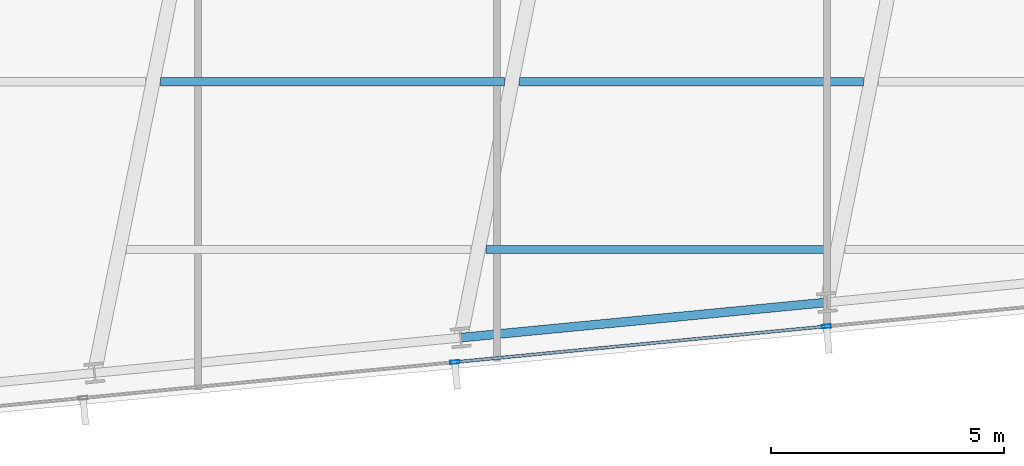
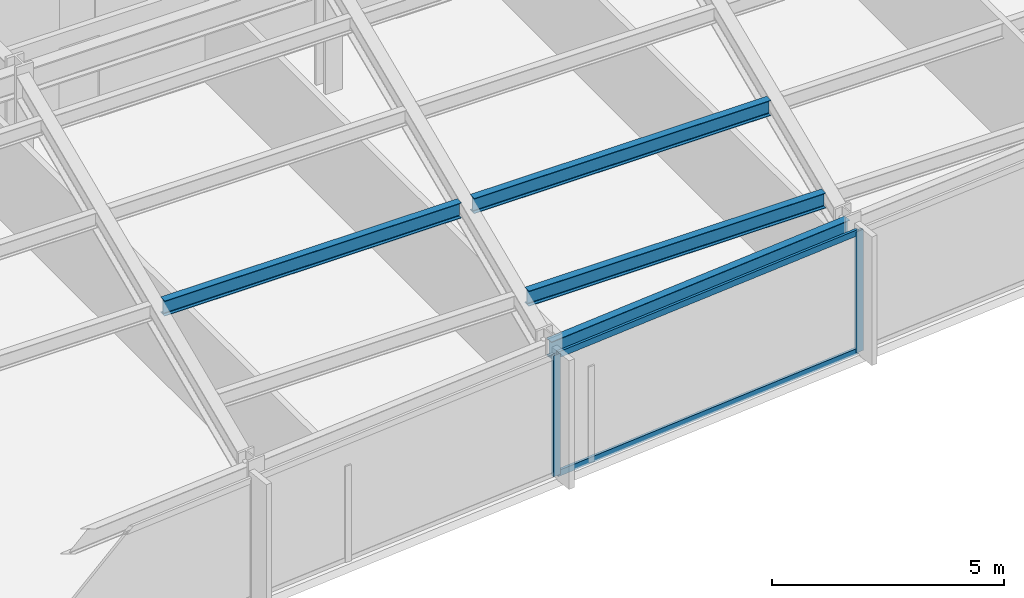
# One storey, part 4 of 33: 4 beams, 4 members, 1 element without a shape of its own.
"""IFC4 building model written with IfcOpenShell, lengths in metres."""

from ifc_helpers import new_model, si_unit, direction, frame, origin, origin_2d, place, context, subcontext, project, spatial, hollow_rectangle, i_section, extrude, material, material_profile, profile_set, type_object, element, aggregate, save


model = new_model("IFC4")

# Units and contexts
model_context = context("Model", 3, precision=1e-05, world=origin(), true_north=direction((0.0, 1.0)))
body_context = subcontext(model_context, "Body", "Model", "MODEL_VIEW")
ifc_project = project(units=[si_unit("LENGTHUNIT", "METRE"), si_unit("AREAUNIT", "SQUARE_METRE"), si_unit("VOLUMEUNIT", "CUBIC_METRE"), si_unit("PLANEANGLEUNIT", "RADIAN"), si_unit("MASSUNIT", "GRAM", prefix="KILO")], contexts=[model_context])

# Site, building, storey
site_placement = place(None, origin())
site = spatial("IfcSite", under=ifc_project, at=site_placement, CompositionType="ELEMENT")
building_placement = place(site_placement, origin())
building = spatial("IfcBuilding", under=site, at=building_placement, Name="Yelkora Congress Tower", CompositionType="ELEMENT")
storey_placement = place(building_placement, frame((0.0, 0.0, 110.10009765625)))
storey = spatial("IfcBuildingStorey", under=building, at=storey_placement, Name="L29", CompositionType="ELEMENT", Elevation=110.10009765625)

# Beams
ifc_material_1 = material(Name="Steel S355J2", Category="steel")
ifc_material_profile_1 = material_profile(ifc_material_1, i_section(OverallWidth=0.179931640625, OverallDepth=0.39990234375, WebThickness=0.008544921875, FlangeThickness=0.013427734375, FilletRadius=0.02099609375, at=origin_2d()), Name="IPE 400")
ifc_profile_set_1 = profile_set([ifc_material_profile_1], Name="Steel S355J2")
beam_type_1 = type_object("IfcBeamType", Name="BM-JOIST-IPE400", PredefinedType="JOIST", material=ifc_profile_set_1)
beam_1_placement = place(storey_placement, frame((36.023193359375, 12.54443359375, 2.97998046875), z_axis=(1.0, 0.0, 0.0), x_axis=(0.0, 1.0, 0.0)))
element("IfcBeam", 1, at=beam_1_placement, inside=storey, type_object=beam_type_1, Name="L29 Composite Floor Joist 2", PredefinedType="JOIST", context=body_context, shape_type="SweptSolid", body=[
    extrude(i_section(OverallWidth=0.179931640625, OverallDepth=0.39990234375, WebThickness=0.008544921875, FlangeThickness=0.013427734375, FilletRadius=0.02099609375, at=origin_2d()), origin(), (0.0, 0.0, 1.0), 7.37646484375),
])
beam_2_placement = place(storey_placement, frame((29.05419921875, 16.144287109375, 2.97998046875), z_axis=(1.0, 0.0, 0.0), x_axis=(0.0, 1.0, 0.0)))
element("IfcBeam", 2, at=beam_2_placement, inside=storey, type_object=beam_type_1, Name="L29 Composite Floor Joist 5", PredefinedType="JOIST", context=body_context, shape_type="SweptSolid", body=[
    extrude(i_section(OverallWidth=0.179931640625, OverallDepth=0.39990234375, WebThickness=0.008544921875, FlangeThickness=0.013427734375, FilletRadius=0.02099609375, at=origin_2d()), origin(), (0.0, 0.0, 1.0), 7.37060546875),
])
beam_3_placement = place(storey_placement, frame((36.744873046875, 16.144287109375, 2.97998046875), z_axis=(1.0, 0.0, 0.0), x_axis=(0.0, 1.0, 0.0)))
element("IfcBeam", 3, at=beam_3_placement, inside=storey, type_object=beam_type_1, Name="L29 Composite Floor Joist 6", PredefinedType="JOIST", context=body_context, shape_type="SweptSolid", body=[
    extrude(i_section(OverallWidth=0.179931640625, OverallDepth=0.39990234375, WebThickness=0.008544921875, FlangeThickness=0.013427734375, FilletRadius=0.02099609375, at=origin_2d()), origin(), (0.0, 0.0, 1.0), 7.371826171875),
])
ifc_material_profile_2 = material_profile(ifc_material_1, i_section(OverallWidth=0.18994140625, OverallDepth=0.449951171875, WebThickness=0.009521484375, FlangeThickness=0.0146484375, FilletRadius=0.02099609375, at=origin_2d()), Name="IPE 450")
ifc_profile_set_2 = profile_set([ifc_material_profile_2], Name="Steel S355J2")
beam_type_2 = type_object("IfcBeamType", Name="BM-SPAN-IPE450", PredefinedType="SPANDREL", material=ifc_profile_set_2)
beam_4_placement = place(storey_placement, frame((35.48486328125, 10.656005859375, 2.954833984375), z_axis=(0.995395575667, 0.095852219286, 0.0), x_axis=(-0.095852219286, 0.995395575667, 0.0)))
element("IfcBeam", 4, at=beam_4_placement, inside=storey, type_object=beam_type_2, Name="L29 Perimeter Beam 5", PredefinedType="SPANDREL", context=body_context, shape_type="SweptSolid", body=[
    extrude(i_section(OverallWidth=0.18994140625, OverallDepth=0.449951171875, WebThickness=0.009521484375, FlangeThickness=0.0146484375, FilletRadius=0.02099609375, at=origin_2d()), origin(), (0.0, 0.0, 1.0), 7.8857421875),
])

# Curtain wall, members
ifc_material_2 = material(Name="Anodised aluminium and insulated glass", Category="aluminium")
curtain_wall_type = type_object("IfcCurtainWallType", Name="CW-SYS-B2", PredefinedType="NOTDEFINED", material=ifc_material_2)
curtain_wall_placement = place(storey_placement, origin())
curtain_wall = element("IfcCurtainWall", 5, at=curtain_wall_placement, inside=storey, type_object=curtain_wall_type, Name="L29 Unitised Curtain Wall 20", PredefinedType="NOTDEFINED")
ifc_material_3 = material(Name="Anodised aluminium 6063-T6", Category="aluminium")
ifc_material_profile_3 = material_profile(ifc_material_3, hollow_rectangle(XDim=0.070068359375, YDim=0.18994140625, WallThickness=0.00390625, at=origin_2d()), Name="ALU 70x190x4")
ifc_profile_set_3 = profile_set([ifc_material_profile_3], Name="Anodised aluminium 6063-T6")
member_type_1 = type_object("IfcMemberType", Name="MEM-ML-B2", PredefinedType="MULLION", material=ifc_profile_set_3)
member_1_placement = place(storey_placement, frame((43.32470703125, 10.898681640625, 0.0), z_axis=(0.0, 0.0, 1.0), x_axis=(0.095844345816, -0.995396333816, 0.0)))
member_1 = element("IfcMember", 6, at=member_1_placement, type_object=member_type_1, Name="CW-B2 mullion 5", PredefinedType="MULLION", context=body_context, shape_type="SweptSolid", body=[
    extrude(hollow_rectangle(XDim=0.070068359375, YDim=0.18994140625, WallThickness=0.00390625, at=origin_2d()), origin(), (0.0, 0.0, 1.0), 3.179931640625),
])
member_2_placement = place(storey_placement, frame((35.358642578125, 10.131591796875, 0.0), z_axis=(0.0, 0.0, 1.0), x_axis=(0.095844345816, -0.995396333816, 0.0)))
member_2 = element("IfcMember", 7, at=member_2_placement, type_object=member_type_1, Name="CW-B2 mullion 6", PredefinedType="MULLION", context=body_context, shape_type="SweptSolid", body=[
    extrude(hollow_rectangle(XDim=0.070068359375, YDim=0.18994140625, WallThickness=0.00390625, at=origin_2d()), origin(), (0.0, 0.0, 1.0), 3.179931640625),
])
ifc_material_profile_4 = material_profile(ifc_material_3, hollow_rectangle(XDim=0.06494140625, YDim=0.159912109375, WallThickness=0.00390625, at=origin_2d()), Name="ALU 65x160x4")
ifc_profile_set_4 = profile_set([ifc_material_profile_4], Name="Anodised aluminium 6063-T6")
member_type_2 = type_object("IfcMemberType", Name="MEM-TR-B2", PredefinedType="USERDEFINED", material=ifc_profile_set_4)
member_3_placement = place(storey_placement, frame((43.289794921875, 10.895263671875, 0.032470703125), z_axis=(-0.995397010735, -0.095837315383, 0.0), x_axis=(0.095837315383, -0.995397010735, 0.0)))
member_3 = element("IfcMember", 8, at=member_3_placement, type_object=member_type_2, Name="CW-B2 transom 5.1", ObjectType="TRANSOM", PredefinedType="USERDEFINED", context=body_context, shape_type="SweptSolid", body=[
    extrude(hollow_rectangle(XDim=0.06494140625, YDim=0.159912109375, WallThickness=0.00390625, at=origin_2d()), origin(), (0.0, 0.0, 1.0), 7.932861328125),
])
member_4_placement = place(storey_placement, frame((43.289794921875, 10.895263671875, 3.1474609375), z_axis=(-0.995397010735, -0.095837315383, 0.0), x_axis=(0.095837315383, -0.995397010735, 0.0)))
member_4 = element("IfcMember", 9, at=member_4_placement, type_object=member_type_2, Name="CW-B2 transom 5.2", ObjectType="TRANSOM", PredefinedType="USERDEFINED", context=body_context, shape_type="SweptSolid", body=[
    extrude(hollow_rectangle(XDim=0.06494140625, YDim=0.159912109375, WallThickness=0.00390625, at=origin_2d()), origin(), (0.0, 0.0, 1.0), 7.932861328125),
])
aggregate(curtain_wall, [member_1, member_2, member_3, member_4])

save(model, "model.ifc")
